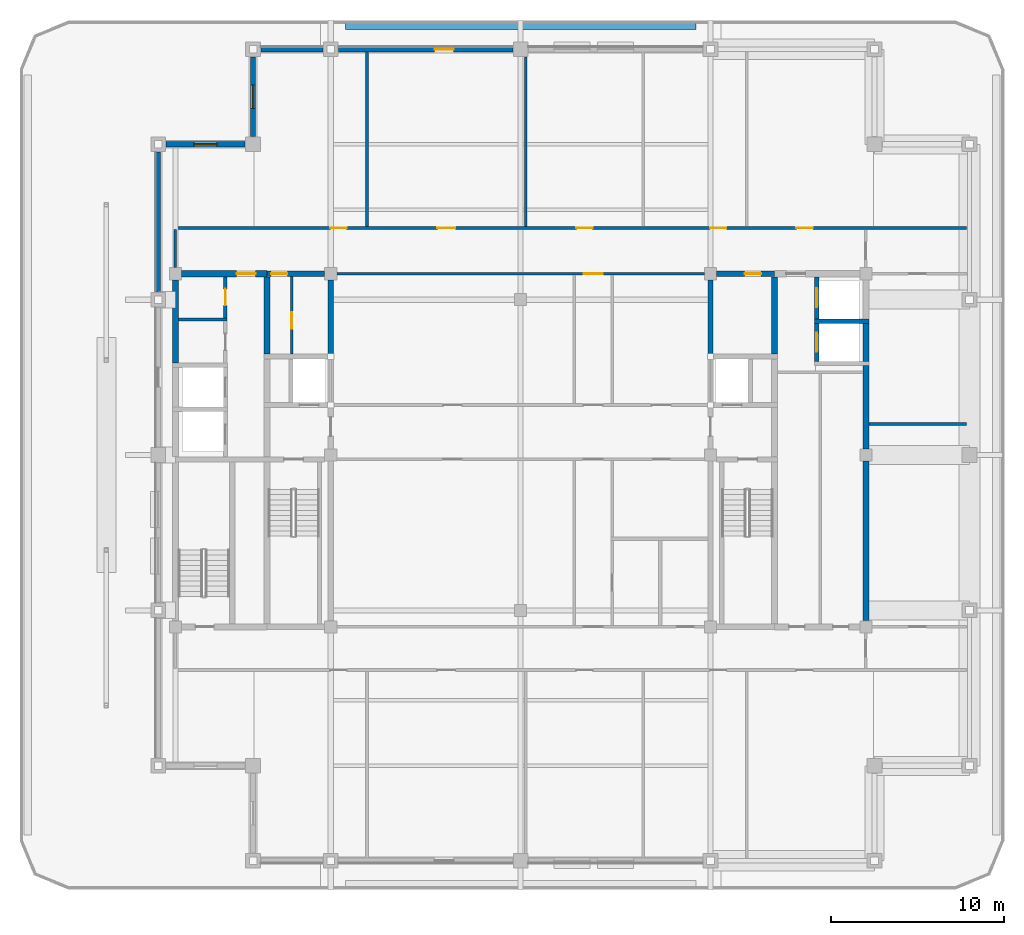
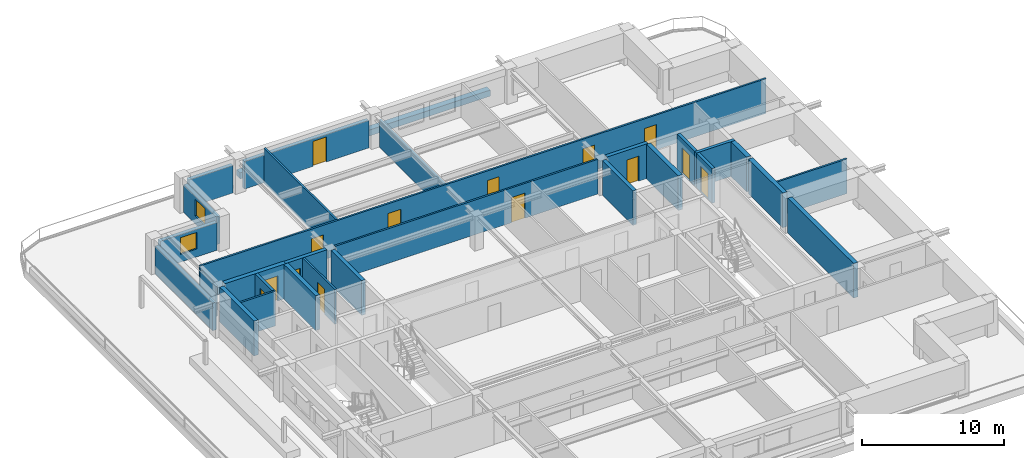
# One storey, part 8 of 14: 29 walls, 14 doors, 2 windows, 16 openings.
"""IFC4 building model written with IfcOpenShell, lengths in metres."""

from ifc_helpers import new_model, si_unit, direction, frame, frame_2d, origin, place, context, subcontext, project, spatial, rectangle, extrude, material, layer, layer_set, type_object, element, fill, save


model = new_model("IFC4")

# Units and contexts
model_context = context("Model", 3, precision=1e-05, world=origin(), true_north=direction((0.0, 1.0)))
body_context = subcontext(model_context, "Body", "Model", "MODEL_VIEW")
ifc_project = project(units=[si_unit("LENGTHUNIT", "METRE"), si_unit("AREAUNIT", "SQUARE_METRE"), si_unit("VOLUMEUNIT", "CUBIC_METRE"), si_unit("PLANEANGLEUNIT", "RADIAN"), si_unit("MASSUNIT", "GRAM", prefix="KILO")], contexts=[model_context])

# Site, building, storey
site_placement = place(None, origin())
site = spatial("IfcSite", under=ifc_project, at=site_placement, CompositionType="ELEMENT")
building_placement = place(site_placement, origin())
building = spatial("IfcBuilding", under=site, at=building_placement, Name="Zulmaris Gate Convention Tower", CompositionType="ELEMENT")
storey_placement = place(building_placement, frame((0.0, 0.0, 226.820068359375)))
storey = spatial("IfcBuildingStorey", under=building, at=storey_placement, Name="L59", CompositionType="ELEMENT", Elevation=226.820068359375)

# Wall
ifc_material_1 = material(Name="Concrete C50/60", Category="concrete")
ifc_layer_1 = layer(ifc_material_1, 0.25, Name="Concrete C50/60")
ifc_layer_set_1 = layer_set([ifc_layer_1], Name="Concrete C50/60")
wall_type_1 = type_object("IfcWallType", Name="CORE-250", PredefinedType="SOLIDWALL", material=ifc_layer_set_1)
wall_1_placement = place(storey_placement, frame((17.02490234375, 7.75, 0.0), z_axis=(0.0, 0.0, 1.0), x_axis=(1.0, 0.0, 0.0)))
element("IfcWall", 1, at=wall_1_placement, inside=storey, type_object=wall_type_1, Name="WL-L59-014", PredefinedType="SOLIDWALL", context=body_context, shape_type="SweptSolid", body=[
    extrude(rectangle(XDim=3.150146484375, YDim=0.25, at=frame_2d((1.5751953125, 0.0))), origin(), (0.0, 0.0, 1.0), 2.97998046875),
])

# Wall, opening, door
wall_2_placement = place(storey_placement, frame((17.14990234375, 5.427001953125, 0.0), z_axis=(0.0, 0.0, 1.0), x_axis=(0.0, 1.0, 0.0)))
wall_2 = element("IfcWall", 2, at=wall_2_placement, inside=storey, type_object=wall_type_1, Name="WL-L59-058", PredefinedType="SOLIDWALL", context=body_context, shape_type="SweptSolid", body=[
    extrude(rectangle(XDim=2.196044921875, YDim=0.25, at=frame_2d((1.09814453125, 0.0))), origin(), (0.0, 0.0, 1.0), 2.97998046875),
])
opening_1_placement = place(wall_2_placement, frame((0.548095703125, 0.0, 0.0)))
opening_1 = element("IfcOpeningElement", 3, at=opening_1_placement, cuts=wall_2, Name="Opening D-06", PredefinedType="OPENING", context=body_context, shape_type="SweptSolid", body=[
    extrude(rectangle(XDim=1.10009765625, YDim=2.199951171875, at=frame_2d((0.550048828125, 1.10009765625))), frame((0.0, 0.135009765625, 0.0), z_axis=(0.0, -1.0, 0.0), x_axis=(1.0, 0.0, 0.0)), (0.0, 0.0, 1.0), 0.27001953125),
])
ifc_material_2 = material(Name="Brushed Stainless Steel", Category="steel")
door_type_1 = type_object("IfcDoorType", Name="LD-1100", OperationType="NOTDEFINED", PredefinedType="DOOR", material=ifc_material_2)
door_1_placement = place(opening_1_placement, origin())
door_1 = element("IfcDoor", 4, at=door_1_placement, inside=storey, type_object=door_type_1, Name="L59 Lift Landing Door HP-01 16", OperationType="SLIDING_TO_RIGHT", OverallHeight=2.199951171875, OverallWidth=1.10009765625, PredefinedType="DOOR", context=body_context, shape_type="SweptSolid", body=[
    extrude(rectangle(XDim=1.10009765625, YDim=2.199951171875, at=frame_2d((0.550048828125, 1.10009765625))), frame((0.0, 0.02490234375, 0.0), z_axis=(0.0, -1.0, 0.0), x_axis=(1.0, 0.0, 0.0)), (0.0, 0.0, 1.0), 0.050048828125),
])
fill(opening_1, door_1)

wall_3_placement = place(storey_placement, frame((17.14990234375, 7.876953125, 0.0), z_axis=(0.0, 0.0, 1.0), x_axis=(0.0, 1.0, 0.0)))
wall_3 = element("IfcWall", 5, at=wall_3_placement, inside=storey, type_object=wall_type_1, Name="WL-L59-059", PredefinedType="SOLIDWALL", context=body_context, shape_type="SweptSolid", body=[
    extrude(rectangle(XDim=2.446044921875, YDim=0.25, at=frame_2d((1.22314453125, 0.0))), origin(), (0.0, 0.0, 1.0), 2.97998046875),
])
opening_2_placement = place(wall_3_placement, frame((0.697998046875, 0.0, 0.0)))
opening_2 = element("IfcOpeningElement", 6, at=opening_2_placement, cuts=wall_3, Name="Opening D-06", PredefinedType="OPENING", context=body_context, shape_type="SweptSolid", body=[
    extrude(rectangle(XDim=1.10009765625, YDim=2.199951171875, at=frame_2d((0.550048828125, 1.10009765625))), frame((0.0, 0.135009765625, 0.0), z_axis=(0.0, -1.0, 0.0), x_axis=(1.0, 0.0, 0.0)), (0.0, 0.0, 1.0), 0.27001953125),
])
door_2_placement = place(opening_2_placement, origin())
door_2 = element("IfcDoor", 7, at=door_2_placement, inside=storey, type_object=door_type_1, Name="L59 Lift Landing Door HP-02 17", OperationType="SLIDING_TO_RIGHT", OverallHeight=2.199951171875, OverallWidth=1.10009765625, PredefinedType="DOOR", context=body_context, shape_type="SweptSolid", body=[
    extrude(rectangle(XDim=1.10009765625, YDim=2.199951171875, at=frame_2d((0.550048828125, 1.10009765625))), frame((0.0, 0.02490234375, 0.0), z_axis=(0.0, -1.0, 0.0), x_axis=(1.0, 0.0, 0.0)), (0.0, 0.0, 1.0), 0.050048828125),
])
fill(opening_2, door_2)

ifc_layer_2 = layer(ifc_material_1, 0.300048828125, Name="Concrete C50/60")
ifc_layer_set_2 = layer_set([ifc_layer_2], Name="Concrete C50/60")
wall_type_2 = type_object("IfcWallType", Name="CORE-300", PredefinedType="SHEAR", material=ifc_layer_set_2)
wall_4_placement = place(storey_placement, frame((-14.699951171875, 10.5, 0.0), z_axis=(0.0, 0.0, 1.0), x_axis=(1.0, 0.0, 0.0)))
wall_4 = element("IfcWall", 8, at=wall_4_placement, inside=storey, type_object=wall_type_2, Name="WL-L59-016", PredefinedType="SHEAR", context=body_context, shape_type="SweptSolid", body=[
    extrude(rectangle(XDim=3.345947265625, YDim=0.300048828125, at=frame_2d((1.6728515625, 0.0))), origin(), (0.0, 0.0, 1.0), 2.97998046875),
])
opening_3_placement = place(wall_4_placement, frame((0.2451171875, 0.0, 0.0)))
opening_3 = element("IfcOpeningElement", 9, at=opening_3_placement, cuts=wall_4, Name="Opening D-11", PredefinedType="OPENING", context=body_context, shape_type="SweptSolid", body=[
    extrude(rectangle(XDim=0.949951171875, YDim=2.14990234375, at=frame_2d((0.47509765625, 1.074951171875))), frame((0.0, 0.16015625, 0.0), z_axis=(0.0, -1.0, 0.0), x_axis=(1.0, 0.0, 0.0)), (0.0, 0.0, 1.0), 0.320068359375),
])
ifc_material_3 = material(Name="Fire-Rated Timber", Category="wood")
door_type_2 = type_object("IfcDoorType", Name="DR-950-FD", OperationType="NOTDEFINED", PredefinedType="DOOR", material=ifc_material_3)
door_3_placement = place(opening_3_placement, origin())
door_3 = element("IfcDoor", 10, at=door_3_placement, inside=storey, type_object=door_type_2, Name="L59 Core Mail Room Door 07", OperationType="SINGLE_SWING_LEFT", OverallHeight=2.14990234375, OverallWidth=0.949951171875, PredefinedType="DOOR", context=body_context, shape_type="SweptSolid", body=[
    extrude(rectangle(XDim=0.949951171875, YDim=2.14990234375, at=frame_2d((0.47509765625, 1.074951171875))), frame((0.0, 0.02490234375, 0.0), z_axis=(0.0, -1.0, 0.0), x_axis=(1.0, 0.0, 0.0)), (0.0, 0.0, 1.0), 0.050048828125),
])
fill(opening_3, door_3)

wall_5_placement = place(storey_placement, frame((11.35400390625, 10.5, 0.0), z_axis=(0.0, 0.0, 1.0), x_axis=(1.0, 0.0, 0.0)))
wall_5 = element("IfcWall", 11, at=wall_5_placement, inside=storey, type_object=wall_type_2, Name="WL-L59-017", PredefinedType="SHEAR", context=body_context, shape_type="SweptSolid", body=[
    extrude(rectangle(XDim=3.345947265625, YDim=0.300048828125, at=frame_2d((1.6728515625, 0.0))), origin(), (0.0, 0.0, 1.0), 2.97998046875),
])
opening_4_placement = place(wall_5_placement, frame((1.62109375, 0.0, 0.0)))
opening_4 = element("IfcOpeningElement", 12, at=opening_4_placement, cuts=wall_5, Name="Opening D-11", PredefinedType="OPENING", context=body_context, shape_type="SweptSolid", body=[
    extrude(rectangle(XDim=0.949951171875, YDim=2.14990234375, at=frame_2d((0.47509765625, 1.074951171875))), frame((0.0, 0.16015625, 0.0), z_axis=(0.0, -1.0, 0.0), x_axis=(1.0, 0.0, 0.0)), (0.0, 0.0, 1.0), 0.320068359375),
])
door_4_placement = place(opening_4_placement, origin())
door_4 = element("IfcDoor", 13, at=door_4_placement, inside=storey, type_object=door_type_2, Name="L59 Core Tea Pantry Door 09", OperationType="SINGLE_SWING_LEFT", OverallHeight=2.14990234375, OverallWidth=0.949951171875, PredefinedType="DOOR", context=body_context, shape_type="SweptSolid", body=[
    extrude(rectangle(XDim=0.949951171875, YDim=2.14990234375, at=frame_2d((0.47509765625, 1.074951171875))), frame((0.0, 0.02490234375, 0.0), z_axis=(0.0, -1.0, 0.0), x_axis=(1.0, 0.0, 0.0)), (0.0, 0.0, 1.0), 0.050048828125),
])
fill(opening_4, door_4)

# Walls
for number, where, z_axis, x_axis, name in (
    (14, (-11.0, 5.85205078125, 0.0), (0.0, 0.0, 1.0), (0.0, 1.0, 0.0), "WL-L59-047"),
    (15, (11.0, 5.85205078125, 0.0), (0.0, 0.0, 1.0), (0.0, 1.0, 0.0), "WL-L59-051"),
):
    element("IfcWall", number, at=place(storey_placement, frame(where, z_axis=z_axis, x_axis=x_axis)), inside=storey, type_object=wall_type_2, Name=name, PredefinedType="SHEAR", context=body_context, shape_type="SweptSolid", body=[
        extrude(rectangle(XDim=4.2939453125, YDim=0.300048828125, at=frame_2d((2.14697265625, 0.0))), origin(), (0.0, 0.0, 1.0), 2.97998046875),
    ])

# Wall, opening, door
ifc_material_4 = material(Name="Concrete C55/67", Category="concrete")
ifc_layer_3 = layer(ifc_material_4, 0.35009765625, Name="Concrete C55/67")
ifc_layer_set_3 = layer_set([ifc_layer_3], Name="Concrete C55/67")
wall_type_3 = type_object("IfcWallType", Name="CORE-350", PredefinedType="SHEAR", material=ifc_layer_set_3)
wall_6_placement = place(storey_placement, frame((-19.64599609375, 10.5, 0.0), z_axis=(0.0, 0.0, 1.0), x_axis=(1.0, 0.0, 0.0)))
wall_6 = element("IfcWall", 16, at=wall_6_placement, inside=storey, type_object=wall_type_3, Name="WL-L59-015", PredefinedType="SHEAR", context=body_context, shape_type="SweptSolid", body=[
    extrude(rectangle(XDim=4.946044921875, YDim=0.35009765625, at=frame_2d((2.47314453125, 0.0))), origin(), (0.0, 0.0, 1.0), 2.97998046875),
])
opening_5_placement = place(wall_6_placement, frame((3.196044921875, 0.0, 0.0)))
opening_5 = element("IfcOpeningElement", 17, at=opening_5_placement, cuts=wall_6, Name="Opening D-08", PredefinedType="OPENING", context=body_context, shape_type="SweptSolid", body=[
    extrude(rectangle(XDim=1.10009765625, YDim=2.14990234375, at=frame_2d((0.550048828125, 1.074951171875))), frame((0.0, 0.18505859375, 0.0), z_axis=(0.0, -1.0, 0.0), x_axis=(1.0, 0.0, 0.0)), (0.0, 0.0, 1.0), 0.3701171875),
])
ifc_material_5 = material(Name="Fire-Rated Steel", Category="steel")
door_type_3 = type_object("IfcDoorType", Name="DR-1100-FD", OperationType="NOTDEFINED", PredefinedType="DOOR", material=ifc_material_5)
door_5_placement = place(opening_5_placement, origin())
door_5 = element("IfcDoor", 18, at=door_5_placement, inside=storey, type_object=door_type_3, Name="L59 High-Rise West Lift Lobby Door 13", OperationType="SINGLE_SWING_LEFT", OverallHeight=2.14990234375, OverallWidth=1.10009765625, PredefinedType="DOOR", context=body_context, shape_type="SweptSolid", body=[
    extrude(rectangle(XDim=1.10009765625, YDim=2.14990234375, at=frame_2d((0.550048828125, 1.074951171875))), frame((0.0, 0.02490234375, 0.0), z_axis=(0.0, -1.0, 0.0), x_axis=(1.0, 0.0, 0.0)), (0.0, 0.0, 1.0), 0.050048828125),
])
fill(opening_5, door_5)

# Walls
wall_7_placement = place(storey_placement, frame((-20.0, 5.326904296875, 0.0), z_axis=(0.0, 0.0, 1.0), x_axis=(0.0, 1.0, 0.0)))
element("IfcWall", 19, at=wall_7_placement, inside=storey, type_object=wall_type_3, Name="WL-L59-034", PredefinedType="SHEAR", context=body_context, shape_type="SweptSolid", body=[
    extrude(rectangle(XDim=4.819091796875, YDim=0.35009765625, at=frame_2d((2.40966796875, 0.0))), origin(), (0.0, 0.0, 1.0), 2.97998046875),
])
for number, where, z_axis, x_axis, name in (
    (20, (-14.699951171875, 5.85205078125, 0.0), (0.0, 0.0, 1.0), (0.0, 1.0, 0.0), "WL-L59-041"),
    (21, (14.699951171875, 5.85205078125, 0.0), (0.0, 0.0, 1.0), (0.0, 1.0, 0.0), "WL-L59-057"),
):
    element("IfcWall", number, at=place(storey_placement, frame(where, z_axis=z_axis, x_axis=x_axis)), inside=storey, type_object=wall_type_3, Name=name, PredefinedType="SHEAR", context=body_context, shape_type="SweptSolid", body=[
        extrude(rectangle(XDim=4.470947265625, YDim=0.35009765625, at=frame_2d((2.2353515625, 0.0))), origin(), (0.0, 0.0, 1.0), 2.97998046875),
    ])
wall_8_placement = place(storey_placement, frame((20.0, -9.595947265625, 0.0), z_axis=(0.0, 0.0, 1.0), x_axis=(0.0, 1.0, 0.0)))
element("IfcWall", 22, at=wall_8_placement, inside=storey, type_object=wall_type_3, Name="WL-L59-060", PredefinedType="SHEAR", context=body_context, shape_type="SweptSolid", body=[
    extrude(rectangle(XDim=9.241943359375, YDim=0.35009765625, at=frame_2d((4.62109375, 0.0))), origin(), (0.0, 0.0, 1.0), 2.97998046875),
])
wall_9_placement = place(storey_placement, frame((20.0, 0.35400390625, 0.0), z_axis=(0.0, 0.0, 1.0), x_axis=(0.0, 1.0, 0.0)))
element("IfcWall", 23, at=wall_9_placement, inside=storey, type_object=wall_type_3, Name="WL-L59-060S1", PredefinedType="SHEAR", context=body_context, shape_type="SweptSolid", body=[
    extrude(rectangle(XDim=4.819091796875, YDim=0.35009765625, at=frame_2d((2.40966796875, 0.0))), origin(), (0.0, 0.0, 1.0), 2.97998046875),
])
wall_10_placement = place(storey_placement, frame((20.0, 5.427001953125, 0.0), z_axis=(0.0, 0.0, 1.0), x_axis=(0.0, 1.0, 0.0)))
element("IfcWall", 24, at=wall_10_placement, inside=storey, type_object=wall_type_3, Name="WL-L59-061", PredefinedType="SHEAR", context=body_context, shape_type="SweptSolid", body=[
    extrude(rectangle(XDim=2.196044921875, YDim=0.35009765625, at=frame_2d((1.09814453125, 0.0))), origin(), (0.0, 0.0, 1.0), 2.97998046875),
])
ifc_material_6 = material(Name="Gypsum Metal Stud Partition")
ifc_layer_4 = layer(ifc_material_6, 0.14990234375, Name="Gypsum Metal Stud Partition")
ifc_layer_set_4 = layer_set([ifc_layer_4], Name="Gypsum Metal Stud Partition")
wall_type_4 = type_object("IfcWallType", Name="PART-150", PredefinedType="PARTITIONING", material=ifc_layer_set_4)
wall_11_placement = place(storey_placement, frame((20.177978515625, 1.800048828125, 0.0), z_axis=(0.0, 0.0, 1.0), x_axis=(1.0, 0.0, 0.0)))
element("IfcWall", 25, at=wall_11_placement, inside=storey, type_object=wall_type_4, Name="WL-L59-024", PredefinedType="PARTITIONING", context=body_context, shape_type="SweptSolid", body=[
    extrude(rectangle(XDim=5.656982421875, YDim=0.14990234375, at=frame_2d((2.82861328125, 0.0))), origin(), (0.0, 0.0, 1.0), 2.97998046875),
])
wall_12_placement = place(storey_placement, frame((-19.822021484375, 7.85009765625, 0.0), z_axis=(0.0, 0.0, 1.0), x_axis=(1.0, 0.0, 0.0)))
element("IfcWall", 26, at=wall_12_placement, inside=storey, type_object=wall_type_4, Name="WL-L59-027", PredefinedType="PARTITIONING", context=body_context, shape_type="SweptSolid", body=[
    extrude(rectangle(XDim=2.822021484375, YDim=0.14990234375, at=frame_2d((1.4111328125, 0.0))), origin(), (0.0, 0.0, 1.0), 2.97998046875),
])

# Wall, opening, door
wall_13_placement = place(storey_placement, frame((-10.64404296875, 10.5, 0.0), z_axis=(0.0, 0.0, 1.0), x_axis=(1.0, 0.0, 0.0)))
wall_13 = element("IfcWall", 27, at=wall_13_placement, inside=storey, type_object=wall_type_4, Name="WL-L59-028", PredefinedType="PARTITIONING", context=body_context, shape_type="SweptSolid", body=[
    extrude(rectangle(XDim=21.2880859375, YDim=0.14990234375, at=frame_2d((10.64404296875, 0.0))), origin(), (0.0, 0.0, 1.0), 2.97998046875),
])
opening_6_placement = place(wall_13_placement, frame((14.2939453125, 0.0, 0.0)))
opening_6 = element("IfcOpeningElement", 28, at=opening_6_placement, cuts=wall_13, Name="Opening D-08", PredefinedType="OPENING", context=body_context, shape_type="SweptSolid", body=[
    extrude(rectangle(XDim=1.10009765625, YDim=2.14990234375, at=frame_2d((0.550048828125, 1.074951171875))), frame((0.0, 0.0849609375, 0.0), z_axis=(0.0, -1.0, 0.0), x_axis=(1.0, 0.0, 0.0)), (0.0, 0.0, 1.0), 0.169921875),
])
door_6_placement = place(opening_6_placement, origin())
door_6 = element("IfcDoor", 29, at=door_6_placement, inside=storey, type_object=door_type_3, Name="L59 Exec North Link Door 21", OperationType="SINGLE_SWING_LEFT", OverallHeight=2.14990234375, OverallWidth=1.10009765625, PredefinedType="DOOR", context=body_context, shape_type="SweptSolid", body=[
    extrude(rectangle(XDim=1.10009765625, YDim=2.14990234375, at=frame_2d((0.550048828125, 1.074951171875))), frame((0.0, 0.02490234375, 0.0), z_axis=(0.0, -1.0, 0.0), x_axis=(1.0, 0.0, 0.0)), (0.0, 0.0, 1.0), 0.050048828125),
])
fill(opening_6, door_6)

# Wall, openings, doors
wall_14_placement = place(storey_placement, frame((-20.074951171875, 13.14990234375, 0.0), z_axis=(0.0, 0.0, 1.0), x_axis=(1.0, 0.0, 0.0)))
wall_14 = element("IfcWall", 30, at=wall_14_placement, inside=storey, type_object=wall_type_4, Name="WL-L59-030", PredefinedType="PARTITIONING", context=body_context, shape_type="SweptSolid", body=[
    extrude(rectangle(XDim=45.909912109375, YDim=0.14990234375, at=frame_2d((22.955078125, 0.0))), origin(), (0.0, 0.0, 1.0), 2.97998046875),
])
opening_7_placement = place(wall_14_placement, frame((9.050048828125, 0.0, 0.0)))
opening_7 = element("IfcOpeningElement", 31, at=opening_7_placement, cuts=wall_14, Name="Opening D-11", PredefinedType="OPENING", context=body_context, shape_type="SweptSolid", body=[
    extrude(rectangle(XDim=0.949951171875, YDim=2.14990234375, at=frame_2d((0.47509765625, 1.074951171875))), frame((0.0, 0.0849609375, 0.0), z_axis=(0.0, -1.0, 0.0), x_axis=(1.0, 0.0, 0.0)), (0.0, 0.0, 1.0), 0.169921875),
])
opening_8_placement = place(wall_14_placement, frame((15.25, 0.0, 0.0)))
opening_8 = element("IfcOpeningElement", 32, at=opening_8_placement, cuts=wall_14, Name="Opening D-09", PredefinedType="OPENING", context=body_context, shape_type="SweptSolid", body=[
    extrude(rectangle(XDim=1.050048828125, YDim=2.14990234375, at=frame_2d((0.52490234375, 1.074951171875))), frame((0.0, 0.0849609375, 0.0), z_axis=(0.0, -1.0, 0.0), x_axis=(1.0, 0.0, 0.0)), (0.0, 0.0, 1.0), 0.169921875),
])
opening_9_placement = place(wall_14_placement, frame((23.300048828125, 0.0, 0.0)))
opening_9 = element("IfcOpeningElement", 33, at=opening_9_placement, cuts=wall_14, Name="Opening D-11", PredefinedType="OPENING", context=body_context, shape_type="SweptSolid", body=[
    extrude(rectangle(XDim=0.949951171875, YDim=2.14990234375, at=frame_2d((0.47509765625, 1.074951171875))), frame((0.0, 0.0849609375, 0.0), z_axis=(0.0, -1.0, 0.0), x_axis=(1.0, 0.0, 0.0)), (0.0, 0.0, 1.0), 0.169921875),
])
opening_10_placement = place(wall_14_placement, frame((31.050048828125, 0.0, 0.0)))
opening_10 = element("IfcOpeningElement", 34, at=opening_10_placement, cuts=wall_14, Name="Opening D-11", PredefinedType="OPENING", context=body_context, shape_type="SweptSolid", body=[
    extrude(rectangle(XDim=0.949951171875, YDim=2.14990234375, at=frame_2d((0.47509765625, 1.074951171875))), frame((0.0, 0.0849609375, 0.0), z_axis=(0.0, -1.0, 0.0), x_axis=(1.0, 0.0, 0.0)), (0.0, 0.0, 1.0), 0.169921875),
])
opening_11_placement = place(wall_14_placement, frame((36.050048828125, 0.0, 0.0)))
opening_11 = element("IfcOpeningElement", 35, at=opening_11_placement, cuts=wall_14, Name="Opening D-11", PredefinedType="OPENING", context=body_context, shape_type="SweptSolid", body=[
    extrude(rectangle(XDim=0.949951171875, YDim=2.14990234375, at=frame_2d((0.47509765625, 1.074951171875))), frame((0.0, 0.0849609375, 0.0), z_axis=(0.0, -1.0, 0.0), x_axis=(1.0, 0.0, 0.0)), (0.0, 0.0, 1.0), 0.169921875),
])
door_type_4 = type_object("IfcDoorType", Name="DR-1050-FD", OperationType="NOTDEFINED", PredefinedType="DOOR", material=ifc_material_5)
door_7_placement = place(opening_8_placement, origin())
door_7 = element("IfcDoor", 36, at=door_7_placement, inside=storey, type_object=door_type_4, Name="L59 Corporate Strategy Office Door 26", OperationType="SINGLE_SWING_RIGHT", OverallHeight=2.14990234375, OverallWidth=1.050048828125, PredefinedType="DOOR", context=body_context, shape_type="SweptSolid", body=[
    extrude(rectangle(XDim=1.050048828125, YDim=2.14990234375, at=frame_2d((0.52490234375, 1.074951171875))), frame((0.0, 0.02490234375, 0.0), z_axis=(0.0, -1.0, 0.0), x_axis=(1.0, 0.0, 0.0)), (0.0, 0.0, 1.0), 0.050048828125),
])
fill(opening_8, door_7)
door_8_placement = place(opening_7_placement, origin())
door_8 = element("IfcDoor", 37, at=door_8_placement, inside=storey, type_object=door_type_2, Name="L59 Executive Boardroom Door 25", OperationType="SINGLE_SWING_LEFT", OverallHeight=2.14990234375, OverallWidth=0.949951171875, PredefinedType="DOOR", context=body_context, shape_type="SweptSolid", body=[
    extrude(rectangle(XDim=0.949951171875, YDim=2.14990234375, at=frame_2d((0.47509765625, 1.074951171875))), frame((0.0, 0.02490234375, 0.0), z_axis=(0.0, -1.0, 0.0), x_axis=(1.0, 0.0, 0.0)), (0.0, 0.0, 1.0), 0.050048828125),
])
fill(opening_7, door_8)
door_9_placement = place(opening_9_placement, origin())
door_9 = element("IfcDoor", 38, at=door_9_placement, inside=storey, type_object=door_type_2, Name="L59 Project Advisory Studio Door 27", OperationType="SINGLE_SWING_LEFT", OverallHeight=2.14990234375, OverallWidth=0.949951171875, PredefinedType="DOOR", context=body_context, shape_type="SweptSolid", body=[
    extrude(rectangle(XDim=0.949951171875, YDim=2.14990234375, at=frame_2d((0.47509765625, 1.074951171875))), frame((0.0, 0.02490234375, 0.0), z_axis=(0.0, -1.0, 0.0), x_axis=(1.0, 0.0, 0.0)), (0.0, 0.0, 1.0), 0.050048828125),
])
fill(opening_9, door_9)
door_10_placement = place(opening_10_placement, origin())
door_10 = element("IfcDoor", 39, at=door_10_placement, inside=storey, type_object=door_type_2, Name="L59 Policy Research Study Door 28", OperationType="SINGLE_SWING_RIGHT", OverallHeight=2.14990234375, OverallWidth=0.949951171875, PredefinedType="DOOR", context=body_context, shape_type="SweptSolid", body=[
    extrude(rectangle(XDim=0.949951171875, YDim=2.14990234375, at=frame_2d((0.47509765625, 1.074951171875))), frame((0.0, 0.02490234375, 0.0), z_axis=(0.0, -1.0, 0.0), x_axis=(1.0, 0.0, 0.0)), (0.0, 0.0, 1.0), 0.050048828125),
])
fill(opening_10, door_10)
door_11_placement = place(opening_11_placement, origin())
door_11 = element("IfcDoor", 40, at=door_11_placement, inside=storey, type_object=door_type_2, Name="L59 Executive Boardroom Door 29", OperationType="SINGLE_SWING_LEFT", OverallHeight=2.14990234375, OverallWidth=0.949951171875, PredefinedType="DOOR", context=body_context, shape_type="SweptSolid", body=[
    extrude(rectangle(XDim=0.949951171875, YDim=2.14990234375, at=frame_2d((0.47509765625, 1.074951171875))), frame((0.0, 0.02490234375, 0.0), z_axis=(0.0, -1.0, 0.0), x_axis=(1.0, 0.0, 0.0)), (0.0, 0.0, 1.0), 0.050048828125),
])
fill(opening_11, door_11)

# Wall
wall_15_placement = place(storey_placement, frame((-20.0, 10.85595703125, 0.0), z_axis=(0.0, 0.0, 1.0), x_axis=(0.0, 1.0, 0.0)))
element("IfcWall", 41, at=wall_15_placement, inside=storey, type_object=wall_type_4, Name="WL-L59-064", PredefinedType="PARTITIONING", context=body_context, shape_type="SweptSolid", body=[
    extrude(rectangle(XDim=2.216064453125, YDim=0.14990234375, at=frame_2d((1.10791015625, 0.0))), origin(), (0.0, 0.0, 1.0), 2.56982421875),
])

# Wall, opening, door
wall_16_placement = place(storey_placement, frame((-13.25, 5.85302734375, 0.0), z_axis=(0.0, 0.0, 1.0), x_axis=(0.0, 1.0, 0.0)))
wall_16 = element("IfcWall", 42, at=wall_16_placement, inside=storey, type_object=wall_type_4, Name="WL-L59-067", PredefinedType="PARTITIONING", context=body_context, shape_type="SweptSolid", body=[
    extrude(rectangle(XDim=4.493896484375, YDim=0.14990234375, at=frame_2d((2.2470703125, 0.0))), origin(), (0.0, 0.0, 1.0), 2.97998046875),
])
opening_12_placement = place(wall_16_placement, frame((1.471923828125, 0.0, 0.0)))
opening_12 = element("IfcOpeningElement", 43, at=opening_12_placement, cuts=wall_16, Name="Opening D-11", PredefinedType="OPENING", context=body_context, shape_type="SweptSolid", body=[
    extrude(rectangle(XDim=0.949951171875, YDim=2.14990234375, at=frame_2d((0.47509765625, 1.074951171875))), frame((0.0, 0.0849609375, 0.0), z_axis=(0.0, -1.0, 0.0), x_axis=(1.0, 0.0, 0.0)), (0.0, 0.0, 1.0), 0.169921875),
])
door_12_placement = place(opening_12_placement, origin())
door_12 = element("IfcDoor", 44, at=door_12_placement, inside=storey, type_object=door_type_2, Name="L59 Core Janitor Door 08", OperationType="SINGLE_SWING_RIGHT", OverallHeight=2.14990234375, OverallWidth=0.949951171875, PredefinedType="DOOR", context=body_context, shape_type="SweptSolid", body=[
    extrude(rectangle(XDim=0.949951171875, YDim=2.14990234375, at=frame_2d((0.47509765625, 1.074951171875))), frame((0.0, 0.02490234375, 0.0), z_axis=(0.0, -1.0, 0.0), x_axis=(1.0, 0.0, 0.0)), (0.0, 0.0, 1.0), 0.050048828125),
])
fill(opening_12, door_12)

# Walls
wall_17_placement = place(storey_placement, frame((-8.89990234375, 13.22802734375, 0.0), z_axis=(0.0, 0.0, 1.0), x_axis=(0.0, 1.0, 0.0)))
element("IfcWall", 45, at=wall_17_placement, inside=storey, type_object=wall_type_4, Name="WL-L59-069", PredefinedType="PARTITIONING", context=body_context, shape_type="SweptSolid", body=[
    extrude(rectangle(XDim=10.10693359375, YDim=0.14990234375, at=frame_2d((5.053466796875, 0.0))), origin(), (0.0, 0.0, 1.0), 2.97998046875),
])
wall_18_placement = place(storey_placement, frame((0.300048828125, 13.22802734375, 0.0), z_axis=(0.0, 0.0, 1.0), x_axis=(0.0, 1.0, 0.0)))
element("IfcWall", 46, at=wall_18_placement, inside=storey, type_object=wall_type_4, Name="WL-L59-071", PredefinedType="PARTITIONING", context=body_context, shape_type="SweptSolid", body=[
    extrude(rectangle(XDim=9.841064453125, YDim=0.14990234375, at=frame_2d((4.92041015625, 0.0))), origin(), (0.0, 0.0, 1.0), 2.39501953125),
])

# Wall, opening, door
ifc_material_7 = material(Name="Autoclaved Aerated Concrete Block and Plasterboard", Category="concrete")
ifc_layer_5 = layer(ifc_material_7, 0.199951171875, Name="Autoclaved Aerated Concrete Block and Plasterboard")
ifc_layer_set_5 = layer_set([ifc_layer_5], Name="Autoclaved Aerated Concrete Block and Plasterboard")
wall_type_5 = type_object("IfcWallType", Name="PART-200", PredefinedType="PARTITIONING", material=ifc_layer_set_5)
wall_19_placement = place(storey_placement, frame((-17.10009765625, 7.927978515625, 0.0), z_axis=(0.0, 0.0, 1.0), x_axis=(0.0, 1.0, 0.0)))
wall_19 = element("IfcWall", 47, at=wall_19_placement, inside=storey, type_object=wall_type_5, Name="WL-L59-066", PredefinedType="PARTITIONING", context=body_context, shape_type="SweptSolid", body=[
    extrude(rectangle(XDim=2.39404296875, YDim=0.199951171875, at=frame_2d((1.197021484375, 0.0))), origin(), (0.0, 0.0, 1.0), 2.97998046875),
])
opening_13_placement = place(wall_19_placement, frame((0.7470703125, 0.0, 0.0)))
opening_13 = element("IfcOpeningElement", 48, at=opening_13_placement, cuts=wall_19, Name="Opening D-11", PredefinedType="OPENING", context=body_context, shape_type="SweptSolid", body=[
    extrude(rectangle(XDim=0.949951171875, YDim=2.14990234375, at=frame_2d((0.47509765625, 1.074951171875))), frame((0.0, 0.10986328125, 0.0), z_axis=(0.0, -1.0, 0.0), x_axis=(1.0, 0.0, 0.0)), (0.0, 0.0, 1.0), 0.219970703125),
])
door_13_placement = place(opening_13_placement, origin())
door_13 = element("IfcDoor", 49, at=door_13_placement, inside=storey, type_object=door_type_2, Name="L59 Housekeeping Door 14", OperationType="SINGLE_SWING_RIGHT", OverallHeight=2.14990234375, OverallWidth=0.949951171875, PredefinedType="DOOR", context=body_context, shape_type="SweptSolid", body=[
    extrude(rectangle(XDim=0.949951171875, YDim=2.14990234375, at=frame_2d((0.47509765625, 1.074951171875))), frame((0.0, 0.02490234375, 0.0), z_axis=(0.0, -1.0, 0.0), x_axis=(1.0, 0.0, 0.0)), (0.0, 0.0, 1.0), 0.050048828125),
])
fill(opening_13, door_13)

# Wall
ifc_material_8 = material(Name="Botanical Green Glazed Precast Concrete C40/50", Category="concrete")
ifc_layer_6 = layer(ifc_material_8, 0.419921875, Name="Botanical Green Glazed Precast Concrete C40/50")
ifc_layer_set_6 = layer_set([ifc_layer_6], Name="Botanical Green Glazed Precast Concrete C40/50")
wall_type_6 = type_object("IfcWallType", Name="PLANTER-CURB-200", PredefinedType="PARAPET", material=ifc_layer_set_6)
wall_20_placement = place(storey_placement, frame((-10.14990234375, 24.8798828125, -0.0400390625), z_axis=(0.0, 0.0, 1.0), x_axis=(1.0, 0.0, 0.0)))
element("IfcWall", 50, at=wall_20_placement, inside=storey, type_object=wall_type_6, Name="L59 Full-Length Balcony Tree Planter Trough", PredefinedType="PARAPET", context=body_context, shape_type="SweptSolid", body=[
    extrude(rectangle(XDim=20.2998046875, YDim=0.47998046875, at=frame_2d((10.14990234375, 0.0))), origin(), (0.0, 0.0, 1.0), 0.52001953125),
])

# Wall, opening, window
ifc_material_9 = material(Name="Precast concrete C40/50", Category="concrete")
ifc_layer_7 = layer(ifc_material_9, 0.300048828125, Name="Precast concrete C40/50")
ifc_layer_set_7 = layer_set([ifc_layer_7], Name="Precast concrete C40/50")
wall_type_7 = type_object("IfcWallType", Name="PRECAST-PIER-300", PredefinedType="STANDARD", material=ifc_layer_set_7)
wall_21_placement = place(storey_placement, frame((-15.5, 23.044921875, 0.0), z_axis=(0.0, 0.0, 1.0), x_axis=(0.0, -1.0, 0.0)))
wall_21 = element("IfcWall", 51, at=wall_21_placement, inside=storey, type_object=wall_type_7, Name="EW-L59-NOTCH-NW1_0", PredefinedType="STANDARD", context=body_context, shape_type="SweptSolid", body=[
    extrude(rectangle(XDim=4.58984375, YDim=0.300048828125, at=frame_2d((2.294921875, 0.0))), origin(), (0.0, 0.0, 1.0), 2.371826171875),
])
opening_14_placement = place(wall_21_placement, frame((1.6201171875, 0.0, 0.679931640625)))
opening_14 = element("IfcOpeningElement", 52, at=opening_14_placement, cuts=wall_21, Name="Opening W-10", PredefinedType="OPENING", context=body_context, shape_type="SweptSolid", body=[
    extrude(rectangle(XDim=1.35009765625, YDim=1.419921875, at=frame_2d((0.675048828125, 0.7099609375))), frame((0.0, 0.16015625, 0.0), z_axis=(0.0, -1.0, 0.0), x_axis=(1.0, 0.0, 0.0)), (0.0, 0.0, 1.0), 0.320068359375),
])
ifc_material_10 = material(Name="Low-E Laminated Double Glazing in Aluminium Frame", Category="aluminium")
window_type = type_object("IfcWindowType", Name="WIN-1350x2000", PartitioningType="SINGLE_PANEL", PredefinedType="WINDOW", material=ifc_material_10)
window_1_placement = place(opening_14_placement, origin())
window_1 = element("IfcWindow", 53, at=window_1_placement, inside=storey, type_object=window_type, Name="WN-EW-L59-NOTCH-NW1_0", OverallHeight=1.419921875, OverallWidth=1.35009765625, PartitioningType="SINGLE_PANEL", PredefinedType="WINDOW", context=body_context, shape_type="SweptSolid", body=[
    extrude(rectangle(XDim=1.35009765625, YDim=1.419921875, at=frame_2d((0.675048828125, 0.7099609375))), frame((0.0, 0.030029296875, 0.0), z_axis=(0.0, -1.0, 0.0), x_axis=(1.0, 0.0, 0.0)), (0.0, 0.0, 1.0), 0.06005859375),
])
fill(opening_14, window_1)

wall_22_placement = place(storey_placement, frame((-15.955078125, 18.0, 0.0), z_axis=(0.0, 0.0, 1.0), x_axis=(-1.0, 0.0, 0.0)))
wall_22 = element("IfcWall", 54, at=wall_22_placement, inside=storey, type_object=wall_type_7, Name="EW-L59-NOTCH-NW2_0", PredefinedType="STANDARD", context=body_context, shape_type="SweptSolid", body=[
    extrude(rectangle(XDim=4.58984375, YDim=0.300048828125, at=frame_2d((2.294921875, 0.0))), origin(), (0.0, 0.0, 1.0), 2.371826171875),
])
opening_15_placement = place(wall_22_placement, frame((1.6201171875, 0.0, 0.679931640625)))
opening_15 = element("IfcOpeningElement", 55, at=opening_15_placement, cuts=wall_22, Name="Opening W-10", PredefinedType="OPENING", context=body_context, shape_type="SweptSolid", body=[
    extrude(rectangle(XDim=1.35009765625, YDim=1.419921875, at=frame_2d((0.675048828125, 0.7099609375))), frame((0.0, 0.16015625, 0.0), z_axis=(0.0, -1.0, 0.0), x_axis=(1.0, 0.0, 0.0)), (0.0, 0.0, 1.0), 0.320068359375),
])
window_2_placement = place(opening_15_placement, origin())
window_2 = element("IfcWindow", 56, at=window_2_placement, inside=storey, type_object=window_type, Name="WN-EW-L59-NOTCH-NW2_0", OverallHeight=1.419921875, OverallWidth=1.35009765625, PartitioningType="SINGLE_PANEL", PredefinedType="WINDOW", context=body_context, shape_type="SweptSolid", body=[
    extrude(rectangle(XDim=1.35009765625, YDim=1.419921875, at=frame_2d((0.675048828125, 0.7099609375))), frame((0.0, 0.030029296875, 0.0), z_axis=(0.0, -1.0, 0.0), x_axis=(1.0, 0.0, 0.0)), (0.0, 0.0, 1.0), 0.06005859375),
])
fill(opening_15, window_2)

# Wall
wall_23_placement = place(storey_placement, frame((-11.455078125, 23.5, 0.0), z_axis=(0.0, 0.0, 1.0), x_axis=(-1.0, 0.0, 0.0)))
element("IfcWall", 57, at=wall_23_placement, inside=storey, type_object=wall_type_7, Name="EW-L59-N-0_0", PredefinedType="STANDARD", context=body_context, shape_type="SweptSolid", body=[
    extrude(rectangle(XDim=3.58984375, YDim=0.300048828125, at=frame_2d((1.794921875, 0.0))), origin(), (0.0, 0.0, 1.0), 2.371826171875),
])

# Wall, opening, door
wall_24_placement = place(storey_placement, frame((-0.455078125, 23.5, 0.0), z_axis=(0.0, 0.0, 1.0), x_axis=(-1.0, 0.0, 0.0)))
wall_24 = element("IfcWall", 58, at=wall_24_placement, inside=storey, type_object=wall_type_7, Name="EW-L59-N-1_0", PredefinedType="STANDARD", context=body_context, shape_type="SweptSolid", body=[
    extrude(rectangle(XDim=10.08984375, YDim=0.300048828125, at=frame_2d((5.044921875, 0.0))), origin(), (0.0, 0.0, 1.0), 2.371826171875),
])
opening_16_placement = place(wall_24_placement, frame((3.4208984375, 0.0, 0.0)))
opening_16 = element("IfcOpeningElement", 59, at=opening_16_placement, cuts=wall_24, Name="Opening D-04", PredefinedType="OPENING", context=body_context, shape_type="SweptSolid", body=[
    extrude(rectangle(XDim=1.10009765625, YDim=2.14990234375, at=frame_2d((0.550048828125, 1.074951171875))), frame((0.0, 0.16015625, 0.0), z_axis=(0.0, -1.0, 0.0), x_axis=(1.0, 0.0, 0.0)), (0.0, 0.0, 1.0), 0.320068359375),
])
ifc_material_11 = material(Name="Anodised Aluminium and Laminated Glass", Category="aluminium")
door_type_5 = type_object("IfcDoorType", Name="ED-1100", OperationType="SINGLE_SWING_RIGHT", PredefinedType="DOOR", material=ifc_material_11)
door_14_placement = place(opening_16_placement, origin())
door_14 = element("IfcDoor", 60, at=door_14_placement, inside=storey, type_object=door_type_5, Name="L59 N Planted Terrace Door", OperationType="SINGLE_SWING_LEFT", OverallHeight=2.14990234375, OverallWidth=1.10009765625, PredefinedType="DOOR", context=body_context, shape_type="SweptSolid", body=[
    extrude(rectangle(XDim=1.10009765625, YDim=2.14990234375, at=frame_2d((0.550048828125, 1.074951171875))), frame((0.0, 0.02490234375, 0.0), z_axis=(0.0, -1.0, 0.0), x_axis=(1.0, 0.0, 0.0)), (0.0, 0.0, 1.0), 0.050048828125),
])
fill(opening_16, door_14)

# Wall
wall_25_placement = place(storey_placement, frame((-21.0, 17.544921875, 0.0), z_axis=(0.0, 0.0, 1.0), x_axis=(0.0, -1.0, 0.0)))
element("IfcWall", 61, at=wall_25_placement, inside=storey, type_object=wall_type_7, Name="EW-L59-W-3_0", PredefinedType="STANDARD", context=body_context, shape_type="SweptSolid", body=[
    extrude(rectangle(XDim=8.08984375, YDim=0.300048828125, at=frame_2d((4.044921875, 0.0))), origin(), (0.0, 0.0, 1.0), 2.371826171875),
])

save(model, "model.ifc")
